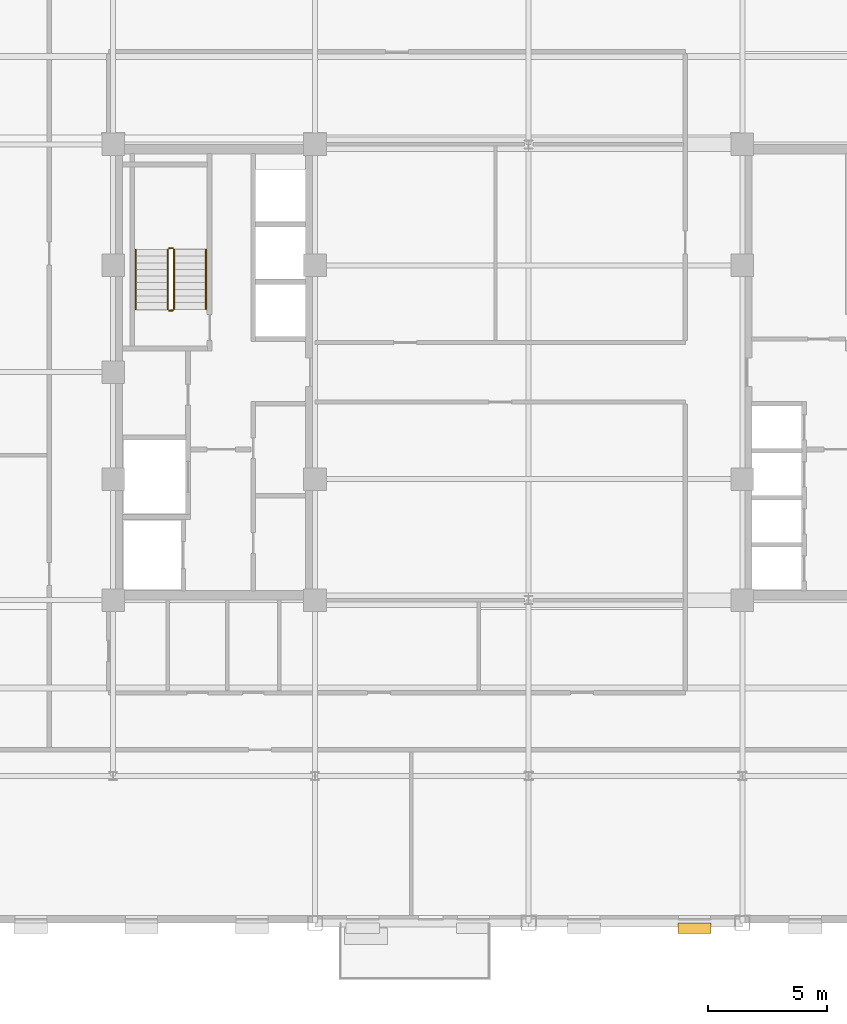
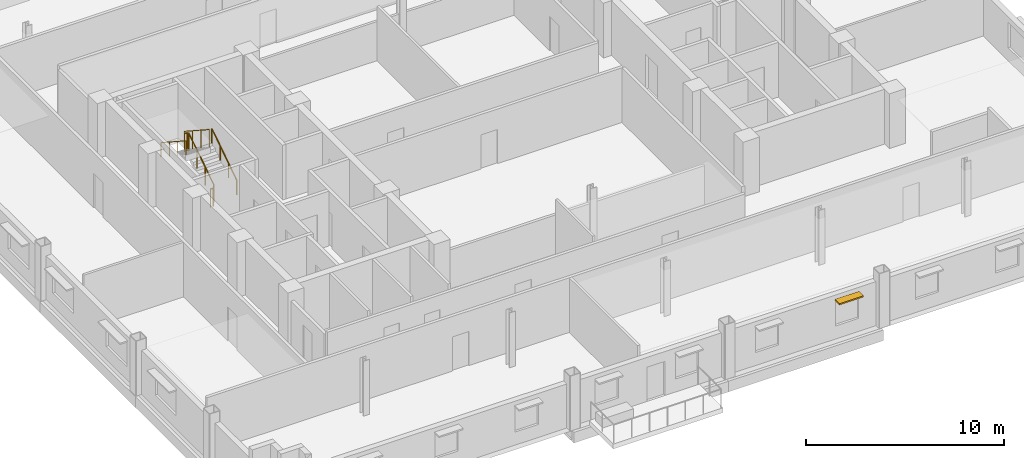
# One storey, part 11 of 14: 6 railings, 1 shading device.
"""IFC4 building model written with IfcOpenShell, lengths in metres."""

from ifc_helpers import new_model, si_unit, direction, frame, origin, origin_2d, place, context, subcontext, project, spatial, rectangle, circle, extrude, source, transform, mapped, material, type_object, type_shapes, element, save


model = new_model("IFC4")

# Units and contexts
model_context = context("Model", 3, precision=1e-05, world=origin(), true_north=direction((0.0, 1.0)))
body_context = subcontext(model_context, "Body", "Model", "MODEL_VIEW")
ifc_project = project(units=[si_unit("LENGTHUNIT", "METRE"), si_unit("AREAUNIT", "SQUARE_METRE"), si_unit("VOLUMEUNIT", "CUBIC_METRE"), si_unit("PLANEANGLEUNIT", "RADIAN"), si_unit("MASSUNIT", "GRAM", prefix="KILO")], contexts=[model_context])

# Site, building, storey
site_placement = place(None, origin())
site = spatial("IfcSite", under=ifc_project, at=site_placement, CompositionType="ELEMENT")
building_placement = place(site_placement, origin())
building = spatial("IfcBuilding", under=site, at=building_placement, Name="Nuvemarco Arch Tower", CompositionType="ELEMENT")
storey_placement = place(building_placement, frame((0.0, 0.0, 134.800048828125)))
storey = spatial("IfcBuildingStorey", under=building, at=storey_placement, Name="L35", CompositionType="ELEMENT", Elevation=134.800048828125)

# Railings
ifc_material_1 = material(Name="Brushed stainless steel handrail", Category="steel")
railing_type_1 = type_object("IfcRailingType", Name="RL-HANDRAIL-900", PredefinedType="HANDRAIL", material=ifc_material_1)
railing_1_placement = place(storey_placement, frame((-13.590087890625, 2.64990234375, 0.182373046875)))
element("IfcRailing", 1, at=railing_1_placement, inside=storey, type_object=railing_type_1, Name="L35 ST-1 stair handrail 1", PredefinedType="HANDRAIL", context=body_context, shape_type="SweptSolid", body=[
    extrude(circle(Radius=0.02392578125, at=origin_2d()), frame((0.0, 0.0, 0.8759765625), z_axis=(0.0, 0.837749427056, 0.546054848405), x_axis=(-1.0, 0.0, 0.0)), (0.0, 0.0, 1.0), 3.008056640625),
    extrude(circle(Radius=0.02099609375, at=origin_2d()), origin(), (0.0, 0.0, 1.0), 0.851806640625),
    extrude(circle(Radius=0.02099609375, at=origin_2d()), frame((0.0, 0.840087890625, 0.547607421875)), (0.0, 0.0, 1.0), 0.851806640625),
    extrude(circle(Radius=0.02099609375, at=origin_2d()), frame((0.0, 1.679931640625, 1.094970703125)), (0.0, 0.0, 1.0), 0.851806640625),
    extrude(circle(Radius=0.02099609375, at=origin_2d()), frame((0.0, 2.52001953125, 1.642578125)), (0.0, 0.0, 1.0), 0.851806640625),
])
railing_2_placement = place(storey_placement, frame((-16.550048828125, 5.169921875, 2.007568359375)))
element("IfcRailing", 2, at=railing_2_placement, inside=storey, type_object=railing_type_1, Name="L35 ST-1 stair handrail 2", PredefinedType="HANDRAIL", context=body_context, shape_type="SweptSolid", body=[
    extrude(circle(Radius=0.02392578125, at=origin_2d()), frame((0.0, 0.0, 0.8759765625), z_axis=(0.0, -0.837786554691, 0.545997883492), x_axis=(1.0, 0.0, 0.0)), (0.0, 0.0, 1.0), 3.008056640625),
    extrude(circle(Radius=0.02099609375, at=origin_2d()), origin(), (0.0, 0.0, 1.0), 0.851806640625),
    extrude(circle(Radius=0.02099609375, at=origin_2d()), frame((0.0, -0.840087890625, 0.54736328125)), (0.0, 0.0, 1.0), 0.851806640625),
    extrude(circle(Radius=0.02099609375, at=origin_2d()), frame((0.0, -1.679931640625, 1.094970703125)), (0.0, 0.0, 1.0), 0.851806640625),
    extrude(circle(Radius=0.02099609375, at=origin_2d()), frame((0.0, -2.52001953125, 1.642333984375)), (0.0, 0.0, 1.0), 0.851806640625),
])
ifc_material_2 = material(Name="Painted balustrade steel S355", Category="steel")
railing_type_2 = type_object("IfcRailingType", Name="RL-STAIR-GUARD", PredefinedType="GUARDRAIL", material=ifc_material_2)
railing_3_placement = place(storey_placement, frame((-14.93994140625, 2.64990234375, 0.182373046875)))
element("IfcRailing", 3, at=railing_3_placement, inside=storey, type_object=railing_type_2, Name="L35 ST-1 stair guard 1", PredefinedType="GUARDRAIL", context=body_context, shape_type="SweptSolid", body=[
    extrude(circle(Radius=0.02392578125, at=origin_2d()), frame((0.0, 0.0, 1.09619140625), z_axis=(0.0, 0.837749427056, 0.546054848405), x_axis=(-1.0, 0.0, 0.0)), (0.0, 0.0, 1.0), 3.008056640625),
    extrude(circle(Radius=0.02099609375, at=origin_2d()), origin(), (0.0, 0.0, 1.0), 1.072021484375),
    extrude(circle(Radius=0.02099609375, at=origin_2d()), frame((0.0, 0.840087890625, 0.547607421875)), (0.0, 0.0, 1.0), 1.072021484375),
    extrude(circle(Radius=0.02099609375, at=origin_2d()), frame((0.0, 1.679931640625, 1.094970703125)), (0.0, 0.0, 1.0), 1.072021484375),
    extrude(circle(Radius=0.02099609375, at=origin_2d()), frame((0.0, 2.52001953125, 1.642578125)), (0.0, 0.0, 1.0), 1.072021484375),
])
railing_4_placement = place(storey_placement, frame((-14.989990234375, 5.219970703125, 1.824951171875)))
element("IfcRailing", 4, at=railing_4_placement, inside=storey, type_object=railing_type_2, Name="L35 ST-1 stair guard 2", PredefinedType="GUARDRAIL", context=body_context, shape_type="SweptSolid", body=[
    extrude(circle(Radius=0.02392578125, at=origin_2d()), frame((0.0, 0.0, 1.09619140625), z_axis=(-1.0, 0.0, 0.0), x_axis=(0.0, -1.0, 0.0)), (0.0, 0.0, 1.0), 0.159912109375),
    extrude(circle(Radius=0.02099609375, at=origin_2d()), origin(), (0.0, 0.0, 1.0), 1.072021484375),
    extrude(circle(Radius=0.02099609375, at=origin_2d()), frame((-0.159912109375, 0.0, 0.0)), (0.0, 0.0, 1.0), 1.072021484375),
])
railing_5_placement = place(storey_placement, frame((-15.199951171875, 5.169921875, 2.007568359375)))
element("IfcRailing", 5, at=railing_5_placement, inside=storey, type_object=railing_type_2, Name="L35 ST-1 stair guard 3", PredefinedType="GUARDRAIL", context=body_context, shape_type="SweptSolid", body=[
    extrude(circle(Radius=0.02392578125, at=origin_2d()), frame((0.0, 0.0, 1.09619140625), z_axis=(0.0, -0.837786554691, 0.545997883492), x_axis=(1.0, 0.0, 0.0)), (0.0, 0.0, 1.0), 3.008056640625),
    extrude(circle(Radius=0.02099609375, at=origin_2d()), origin(), (0.0, 0.0, 1.0), 1.072021484375),
    extrude(circle(Radius=0.02099609375, at=origin_2d()), frame((0.0, -0.840087890625, 0.54736328125)), (0.0, 0.0, 1.0), 1.072021484375),
    extrude(circle(Radius=0.02099609375, at=origin_2d()), frame((0.0, -1.679931640625, 1.094970703125)), (0.0, 0.0, 1.0), 1.072021484375),
    extrude(circle(Radius=0.02099609375, at=origin_2d()), frame((0.0, -2.52001953125, 1.642333984375)), (0.0, 0.0, 1.0), 1.072021484375),
])
railing_6_placement = place(storey_placement, frame((-14.989990234375, 2.60009765625, 0.0)))
element("IfcRailing", 6, at=railing_6_placement, inside=storey, type_object=railing_type_2, Name="L35 ST-1 stair guard 4", PredefinedType="GUARDRAIL", context=body_context, shape_type="SweptSolid", body=[
    extrude(circle(Radius=0.02392578125, at=origin_2d()), frame((0.0, 0.0, 1.09619140625), z_axis=(-1.0, 0.0, 0.0), x_axis=(0.0, -1.0, 0.0)), (0.0, 0.0, 1.0), 0.159912109375),
    extrude(circle(Radius=0.02099609375, at=origin_2d()), origin(), (0.0, 0.0, 1.0), 1.072021484375),
    extrude(circle(Radius=0.02099609375, at=origin_2d()), frame((-0.159912109375, 0.0, 0.0)), (0.0, 0.0, 1.0), 1.072021484375),
])

# Shading device
ifc_material_3 = material(Name="Anodised aluminium 6063-T6", Category="aluminium")
shading_device_type = type_object("IfcShadingDeviceType", Name="SHD-BRISE-NARROW", PredefinedType="USERDEFINED", material=ifc_material_3)
shared_shape = source(origin(), body_context, "Body", "SweptSolid", [
    extrude(rectangle(XDim=1.39990234375, YDim=0.449951171875, at=origin_2d()), origin(), (0.0, 0.0, 1.0), 0.080078125),
])
type_shapes(shading_device_type, [shared_shape])
shading_device_placement = place(storey_placement, frame((6.989990234375, -23.4150390625, 2.364990234375), z_axis=(0.0, 0.0, 1.0), x_axis=(1.0, 0.0, 0.0)))
element("IfcShadingDevice", 7, at=shading_device_placement, inside=storey, type_object=shading_device_type, Name="L35 horizontal brise-soleil sunshade", ObjectType="SUNSHADE", PredefinedType="USERDEFINED", context=body_context, shape_type="MappedRepresentation", body=[
    mapped(shared_shape, transform((0.0, 0.0, 0.0), scale=1.0)),
])

save(model, "model.ifc")
